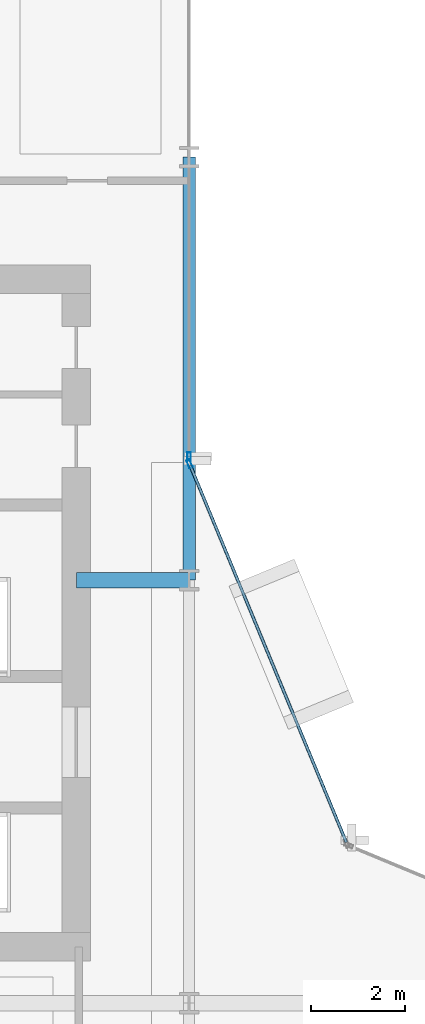
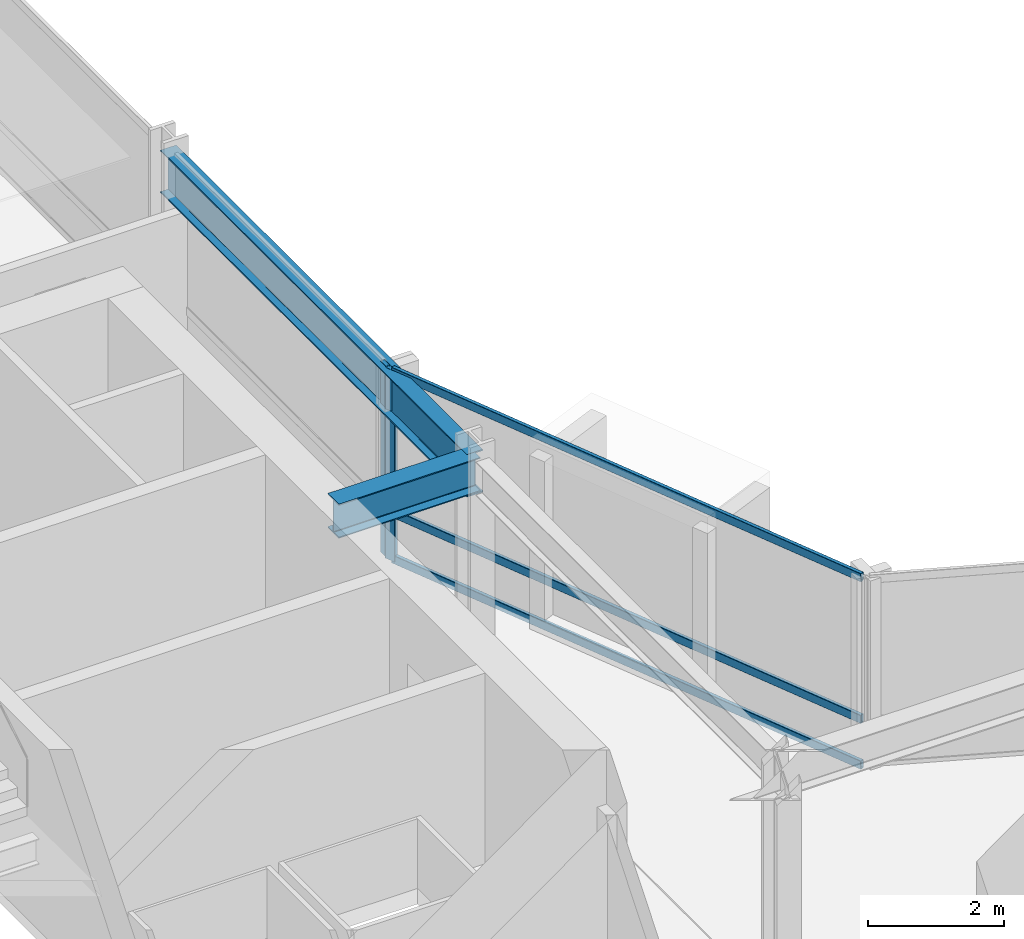
# One storey, part 17 of 28: 5 members, 2 beams, 2 elements without a shape of their own.
"""IFC4 building model written with IfcOpenShell, lengths in metres."""

from ifc_helpers import new_model, si_unit, direction, frame, origin, origin_2d, place, context, subcontext, project, spatial, hollow_rectangle, i_section, extrude, material, layer, layer_set, material_profile, profile_set, type_object, element, aggregate, save


model = new_model("IFC4")

# Units and contexts
model_context = context("Model", 3, precision=1e-05, world=origin(), true_north=direction((0.0, 1.0)))
body_context = subcontext(model_context, "Body", "Model", "MODEL_VIEW")
ifc_project = project(units=[si_unit("LENGTHUNIT", "METRE"), si_unit("AREAUNIT", "SQUARE_METRE"), si_unit("VOLUMEUNIT", "CUBIC_METRE"), si_unit("PLANEANGLEUNIT", "RADIAN"), si_unit("MASSUNIT", "GRAM", prefix="KILO")], contexts=[model_context])

# Site, building, storey
site_placement = place(None, origin())
site = spatial("IfcSite", under=ifc_project, at=site_placement, CompositionType="ELEMENT")
building_placement = place(site_placement, origin())
building = spatial("IfcBuilding", under=site, at=building_placement, Name="Solvaryn Broadcast Tower", CompositionType="ELEMENT")
storey_placement = place(building_placement, frame((0.0, 0.0, 110.0)))
storey = spatial("IfcBuildingStorey", under=building, at=storey_placement, Name="L26", CompositionType="ELEMENT", Elevation=110.0)

# Beams
ifc_material_1 = material(Name="Steel ASTM A992 Grade 50", Category="steel")
ifc_material_profile_1 = material_profile(ifc_material_1, i_section(OverallWidth=0.323974609375, OverallDepth=0.611083984375, WebThickness=0.0126953125, FlangeThickness=0.01904296875, FilletRadius=0.014892578125, at=origin_2d()))
ifc_profile_set_1 = profile_set([ifc_material_profile_1], Name="Steel ASTM A992 Grade 50")
beam_type_1 = type_object("IfcBeamType", Name="BM-B1-W24X104", PredefinedType="BEAM", material=ifc_profile_set_1)
beam_1_placement = place(storey_placement, frame((24.60009765625, 36.0, 3.114501953125), z_axis=(1.0, 0.0, 0.0), x_axis=(0.0, 1.0, 0.0)))
element("IfcBeam", 1, at=beam_1_placement, inside=storey, type_object=beam_type_1, Name="L26 Core Tie Beam CTW2", PredefinedType="BEAM", context=body_context, shape_type="SweptSolid", body=[
    extrude(i_section(OverallWidth=0.323974609375, OverallDepth=0.611083984375, WebThickness=0.0126953125, FlangeThickness=0.01904296875, FilletRadius=0.014892578125, at=origin_2d()), origin(), (0.0, 0.0, 1.0), 2.39990234375),
])
ifc_material_2 = material(Name="Steel ASTM A992 Grade 50", Category="steel")
ifc_material_profile_2 = material_profile(ifc_material_2, i_section(OverallWidth=0.26708984375, OverallDepth=0.76611328125, WebThickness=0.014892578125, FlangeThickness=0.023681640625, FilletRadius=0.01806640625, at=origin_2d()))
ifc_profile_set_2 = profile_set([ifc_material_profile_2], Name="Steel ASTM A992 Grade 50")
beam_type_2 = type_object("IfcBeamType", Name="BM-SP2-W30X124", PredefinedType="USERDEFINED", material=ifc_profile_set_2)
beam_2_placement = place(storey_placement, frame((27.0, 36.0, 3.037109375), z_axis=(0.0, 1.0, 0.0), x_axis=(-1.0, 0.0, 0.0)))
element("IfcBeam", 2, at=beam_2_placement, inside=storey, type_object=beam_type_2, Name="L26 Spandrel Beam Y (36-45 @ X=27)", ObjectType="SPANDREL", PredefinedType="USERDEFINED", context=body_context, shape_type="SweptSolid", body=[
    extrude(i_section(OverallWidth=0.26708984375, OverallDepth=0.76611328125, WebThickness=0.014892578125, FlangeThickness=0.023681640625, FilletRadius=0.01806640625, at=origin_2d()), origin(), (0.0, 0.0, 1.0), 9.0),
])

# Curtain wall, member
ifc_material_3 = material(Name="Aluminium and Terracotta Unitised Curtain Wall", Category="masonry")
ifc_layer = layer(ifc_material_3, 0.199951171875)
ifc_layer_set = layer_set([ifc_layer], Name="CW-SYS2-LOWMID")
curtain_wall_type = type_object("IfcCurtainWallType", Name="CW-SYS2-LOWMID", PredefinedType="NOTDEFINED", material=ifc_layer_set)
curtain_wall_1_placement = place(storey_placement, origin())
curtain_wall_1 = element("IfcCurtainWall", 3, at=curtain_wall_1_placement, inside=storey, type_object=curtain_wall_type, Name="L26 Curtain Wall IV", PredefinedType="NOTDEFINED")
ifc_material_4 = material(Name="Anodised Aluminium 6063-T6", Category="aluminium")
ifc_material_profile_3 = material_profile(ifc_material_4, hollow_rectangle(XDim=0.074951171875, YDim=0.179931640625, WallThickness=0.00390625, InnerFilletRadius=0.00390625, OuterFilletRadius=0.008056640625, at=origin_2d()))
ifc_profile_set_3 = profile_set([ifc_material_profile_3], Name="Anodised Aluminium 6063-T6")
member_type_1 = type_object("IfcMemberType", Name="CW-MUL-180", PredefinedType="MULLION", material=ifc_profile_set_3)
member_1_placement = place(storey_placement, frame((27.0, 38.6298828125, 0.0), z_axis=(0.0, 0.0, 1.0), x_axis=(1.0, 0.0, 0.0)))
member_1 = element("IfcMember", 4, at=member_1_placement, type_object=member_type_1, Name="CWS2 mullion 2", PredefinedType="MULLION", context=body_context, shape_type="SweptSolid", body=[
    extrude(hollow_rectangle(XDim=0.074951171875, YDim=0.179931640625, WallThickness=0.00390625, InnerFilletRadius=0.00390625, OuterFilletRadius=0.008056640625, at=origin_2d()), origin(), (0.0, 0.0, 1.0), 3.419921875),
])
aggregate(curtain_wall_1, [member_1])

# Curtain wall, members
curtain_wall_2_placement = place(storey_placement, origin())
curtain_wall_2 = element("IfcCurtainWall", 5, at=curtain_wall_2_placement, inside=storey, type_object=curtain_wall_type, Name="L26 Curtain Wall CN2", PredefinedType="NOTDEFINED")
member_2_placement = place(storey_placement, frame((27.011474609375, 38.47216796875, 0.0), z_axis=(0.0, 0.0, 1.0), x_axis=(-0.923894983957, -0.382646127145, 0.0)))
member_2 = element("IfcMember", 6, at=member_2_placement, type_object=member_type_1, Name="CWS2 mullion 2", PredefinedType="MULLION", context=body_context, shape_type="SweptSolid", body=[
    extrude(hollow_rectangle(XDim=0.074951171875, YDim=0.179931640625, WallThickness=0.00390625, InnerFilletRadius=0.00390625, OuterFilletRadius=0.008056640625, at=origin_2d()), origin(), (0.0, 0.0, 1.0), 3.419921875),
])
ifc_material_5 = material(Name="Anodised Aluminium 6063-T6", Category="aluminium")
ifc_material_profile_4 = material_profile(ifc_material_5, hollow_rectangle(XDim=0.06494140625, YDim=0.14990234375, WallThickness=0.00390625, InnerFilletRadius=0.00390625, OuterFilletRadius=0.008056640625, at=origin_2d()))
ifc_profile_set_4 = profile_set([ifc_material_profile_4], Name="Anodised Aluminium 6063-T6")
member_type_2 = type_object("IfcMemberType", Name="CW-TRN-150", PredefinedType="USERDEFINED", material=ifc_profile_set_4)
member_3_placement = place(storey_placement, frame((30.344970703125, 30.42333984375, 0.030029296875), z_axis=(-0.382635748975, 0.923899282177, 0.0), x_axis=(-0.923899282177, -0.382635748975, 0.0)))
member_3 = element("IfcMember", 7, at=member_3_placement, type_object=member_type_2, Name="CWS2 transom 1.1", ObjectType="TRANSOM", PredefinedType="USERDEFINED", context=body_context, shape_type="SweptSolid", body=[
    extrude(hollow_rectangle(XDim=0.06494140625, YDim=0.14990234375, WallThickness=0.00390625, InnerFilletRadius=0.00390625, OuterFilletRadius=0.008056640625, at=origin_2d()), origin(), (0.0, 0.0, 1.0), 8.681884765625),
])
member_4_placement = place(storey_placement, frame((30.344970703125, 30.42333984375, 0.85009765625), z_axis=(-0.382635748975, 0.923899282177, 0.0), x_axis=(-0.923899282177, -0.382635748975, 0.0)))
member_4 = element("IfcMember", 8, at=member_4_placement, type_object=member_type_2, Name="CWS2 transom 1.2", ObjectType="TRANSOM", PredefinedType="USERDEFINED", context=body_context, shape_type="SweptSolid", body=[
    extrude(hollow_rectangle(XDim=0.06494140625, YDim=0.14990234375, WallThickness=0.00390625, InnerFilletRadius=0.00390625, OuterFilletRadius=0.008056640625, at=origin_2d()), origin(), (0.0, 0.0, 1.0), 8.681884765625),
])
member_5_placement = place(storey_placement, frame((30.344970703125, 30.42333984375, 3.389892578125), z_axis=(-0.382635748975, 0.923899282177, 0.0), x_axis=(-0.923899282177, -0.382635748975, 0.0)))
member_5 = element("IfcMember", 9, at=member_5_placement, type_object=member_type_2, Name="CWS2 transom 1.3", ObjectType="TRANSOM", PredefinedType="USERDEFINED", context=body_context, shape_type="SweptSolid", body=[
    extrude(hollow_rectangle(XDim=0.06494140625, YDim=0.14990234375, WallThickness=0.00390625, InnerFilletRadius=0.00390625, OuterFilletRadius=0.008056640625, at=origin_2d()), origin(), (0.0, 0.0, 1.0), 8.681884765625),
])
aggregate(curtain_wall_2, [member_2, member_3, member_4, member_5])

save(model, "model.ifc")
